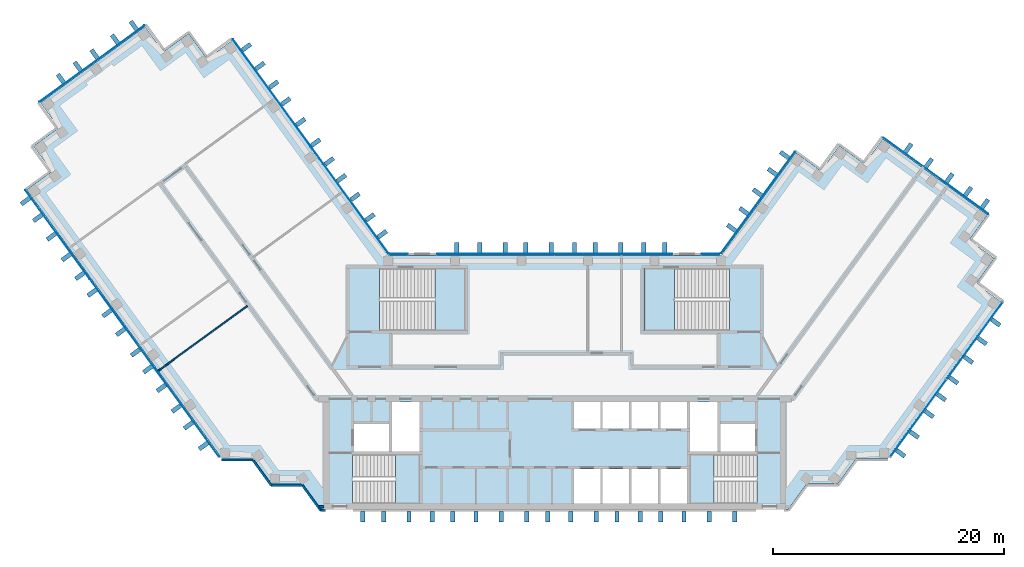
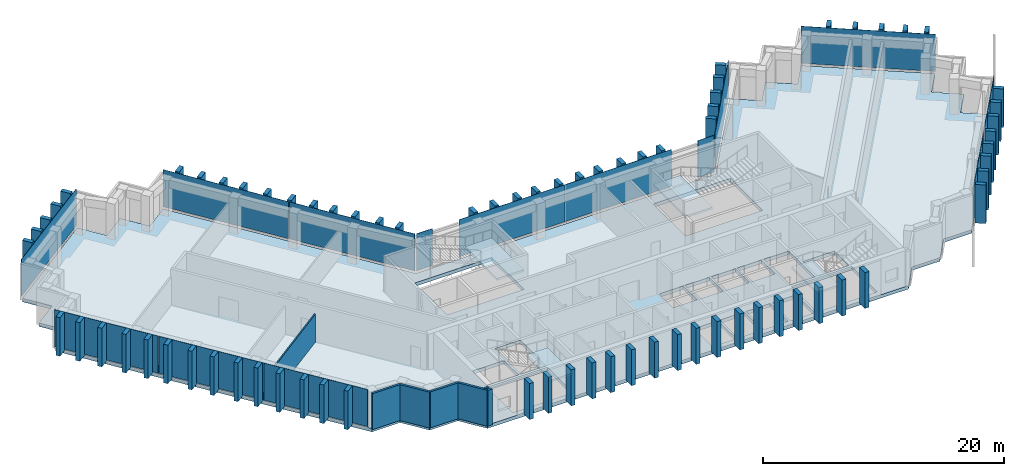
"""IFC4 building model written with IfcOpenShell, lengths in metres."""

from ifc_helpers import new_model, si_unit, direction, frame, frame_2d, origin, origin_2d, place, context, subcontext, project, spatial, polyline, rectangle, outline, extrude, material, layer, layer_set, type_object, element, aggregate, save


model = new_model("IFC4")

# Units and contexts
model_context = context("Model", 3, precision=1e-05, world=origin(), true_north=direction((0.0, 1.0)))
body_context = subcontext(model_context, "Body", "Model", "MODEL_VIEW")
ifc_project = project(units=[si_unit("LENGTHUNIT", "METRE"), si_unit("AREAUNIT", "SQUARE_METRE"), si_unit("VOLUMEUNIT", "CUBIC_METRE"), si_unit("PLANEANGLEUNIT", "RADIAN"), si_unit("MASSUNIT", "GRAM", prefix="KILO")], contexts=[model_context])

# Site, building, storey
site_placement = place(None, origin())
site = spatial("IfcSite", under=ifc_project, at=site_placement, CompositionType="ELEMENT")
building_placement = place(site_placement, origin())
building = spatial("IfcBuilding", under=site, at=building_placement, Name="Quipu Civic Tower", CompositionType="ELEMENT")
storey_1_placement = place(building_placement, frame((0.0, 0.0, 226.0)))
storey_1 = spatial("IfcBuildingStorey", under=building, at=storey_1_placement, Name="L53", CompositionType="ELEMENT", Elevation=226.0)

# Slab
ifc_material_1 = material(Name="Concrete C40/50", Category="concrete")
ifc_layer_1 = layer(ifc_material_1, 0.35009765625)
ifc_layer_set_1 = layer_set([ifc_layer_1], Name="Concrete C40/50")
slab_type_1 = type_object("IfcSlabType", Name="Floor slab 350 C40/50", PredefinedType="FLOOR", material=ifc_layer_set_1)
slab_1_placement = place(storey_1_placement, frame((0.0, 0.0, -0.35009765625)))
element("IfcSlab", 1, at=slab_1_placement, inside=storey_1, type_object=slab_type_1, Name="Floor slab L53", PredefinedType="FLOOR", context=body_context, shape_type="SweptSolid", body=[
    extrude(outline(polyline([(20.860107421875, 19.89501953125), (23.0400390625, 18.31005859375), (24.6298828125, 20.4951171875), (26.81494140625, 18.905029296875), (28.39990234375, 21.090087890625), (37.4599609375, 14.5048828125), (35.875, 12.320068359375), (38.06005859375, 10.735107421875), (36.469970703125, 8.550048828125), (38.655029296875, 6.965087890625), (28.780029296875, -6.6298828125), (26.080078125, -6.6298828125), (24.489990234375, -8.81494140625), (21.7900390625, -8.81494140625), (20.205078125, -11.0), (-20.205078125, -11.0), (-21.7900390625, -8.81494140625), (-24.489990234375, -8.81494140625), (-26.080078125, -6.6298828125), (-28.780029296875, -6.6298828125), (-45.7099609375, 16.669921875), (-43.52490234375, 18.260009765625), (-45.114990234375, 20.445068359375), (-42.929931640625, 22.030029296875), (-44.514892578125, 24.215087890625), (-35.455078125, 30.800048828125), (-33.864990234375, 28.614990234375), (-31.68505859375, 30.199951171875), (-30.094970703125, 28.014892578125), (-27.909912109375, 29.60498046875), (-14.39501953125, 11.0), (14.39501953125, 11.0), (20.860107421875, 19.89501953125)]), holes=[polyline([(1.64990234375, -7.5), (1.64990234375, -10.5), (3.949951171875, -10.5), (3.949951171875, -7.5), (1.64990234375, -7.5)]), polyline([(4.14990234375, -7.5), (4.14990234375, -10.5), (6.449951171875, -10.5), (6.449951171875, -7.5), (4.14990234375, -7.5)]), polyline([(-11.705078125, -6.2548828125), (-17.4951171875, -6.2548828125), (-17.4951171875, -10.4951171875), (-11.705078125, -10.4951171875), (-11.705078125, -6.2548828125)]), polyline([(-17.35009765625, -3.60009765625), (-17.35009765625, -6.0), (-14.35009765625, -6.0), (-14.35009765625, -3.60009765625), (-17.35009765625, -3.60009765625)]), polyline([(-14.10009765625, -1.699951171875), (-14.10009765625, -6.0), (-11.699951171875, -6.0), (-11.699951171875, -1.699951171875), (-14.10009765625, -1.699951171875)]), polyline([(1.64990234375, -1.699951171875), (1.64990234375, -4.0), (3.949951171875, -4.0), (3.949951171875, -1.699951171875), (1.64990234375, -1.699951171875)]), polyline([(4.14990234375, -1.699951171875), (4.14990234375, -4.0), (6.449951171875, -4.0), (6.449951171875, -1.699951171875), (4.14990234375, -1.699951171875)]), polyline([(-7.7548828125, 9.844970703125), (-15.14501953125, 9.844970703125), (-15.14501953125, 4.5048828125), (-7.7548828125, 4.5048828125), (-7.7548828125, 9.844970703125)]), polyline([(6.64990234375, -7.5), (6.64990234375, -10.5), (8.949951171875, -10.5), (8.949951171875, -7.5), (6.64990234375, -7.5)]), polyline([(9.14990234375, -7.5), (9.14990234375, -10.5), (11.449951171875, -10.5), (11.449951171875, -7.5), (9.14990234375, -7.5)]), polyline([(11.705078125, -10.4951171875), (17.4951171875, -10.4951171875), (17.4951171875, -6.2548828125), (11.705078125, -6.2548828125), (11.705078125, -10.4951171875)]), polyline([(14.35009765625, -3.60009765625), (14.35009765625, -6.0), (17.35009765625, -6.0), (17.35009765625, -3.60009765625), (14.35009765625, -3.60009765625)]), polyline([(11.699951171875, -1.699951171875), (11.699951171875, -6.0), (14.10009765625, -6.0), (14.10009765625, -1.699951171875), (11.699951171875, -1.699951171875)]), polyline([(6.64990234375, -1.699951171875), (6.64990234375, -4.0), (8.949951171875, -4.0), (8.949951171875, -1.699951171875), (6.64990234375, -1.699951171875)]), polyline([(9.14990234375, -1.699951171875), (9.14990234375, -4.0), (11.449951171875, -4.0), (11.449951171875, -1.699951171875), (9.14990234375, -1.699951171875)]), polyline([(7.7548828125, 4.5048828125), (15.14501953125, 4.5048828125), (15.14501953125, 9.844970703125), (7.7548828125, 9.844970703125), (7.7548828125, 4.5048828125)])]), origin(), (0.0, 0.0, 1.0), 0.35009765625),
])

# Storey
storey_2_placement = place(building_placement, frame((0.0, 0.0, 222.0)))
storey_2 = spatial("IfcBuildingStorey", under=building, at=storey_2_placement, Name="L52", CompositionType="ELEMENT", Elevation=222.0)

# Curtain wall, plates
ifc_material_2 = material(Name="Insulated glass unit", Category="glass")
curtain_wall_type = type_object("IfcCurtainWallType", Name="Office curtain wall CW1", PredefinedType="NOTDEFINED", material=ifc_material_2)
curtain_wall_1_placement = place(storey_2_placement, origin())
curtain_wall_1 = element("IfcCurtainWall", 2, at=curtain_wall_1_placement, inside=storey_2, type_object=curtain_wall_type, Name="Office curtain wall CW1 L51 run 1", PredefinedType="NOTDEFINED")
ifc_material_3 = material(Name="Insulated glass unit", Category="glass")
ifc_layer_2 = layer(ifc_material_3, 0.028076171875)
ifc_layer_set_2 = layer_set([ifc_layer_2], Name="Insulated glass unit")
plate_type_1 = type_object("IfcPlateType", Name="Glass panel CW1", PredefinedType="CURTAIN_PANEL", material=ifc_layer_set_2)
plate_1_placement = place(storey_1_placement, frame((-17.7421875, 15.777099609375, 0.16015625), z_axis=(0.0, 0.0, 1.0), x_axis=(-0.587788727052, 0.809014469803, 0.0)))
plate_1 = element("IfcPlate", 3, at=plate_1_placement, inside=storey_1, type_object=plate_type_1, Name="CW1 panel 1.3", PredefinedType="CURTAIN_PANEL", context=body_context, shape_type="SweptSolid", body=[
    extrude(rectangle(XDim=11.402099609375, YDim=0.028076171875, at=origin_2d()), origin(), (0.0, 0.0, 1.0), 3.760009765625),
])
plate_2_placement = place(storey_1_placement, frame((-24.491455078125, 25.066162109375, 0.16015625), z_axis=(0.0, 0.0, 1.0), x_axis=(-0.587788727052, 0.809014469803, 0.0)))
plate_2 = element("IfcPlate", 4, at=plate_2_placement, inside=storey_1, type_object=plate_type_1, Name="CW1 panel 2.3", PredefinedType="CURTAIN_PANEL", context=body_context, shape_type="SweptSolid", body=[
    extrude(rectangle(XDim=11.402099609375, YDim=0.028076171875, at=origin_2d()), origin(), (0.0, 0.0, 1.0), 3.760009765625),
])
aggregate(curtain_wall_1, [plate_1, plate_2])

# Curtain wall, plate
curtain_wall_2_placement = place(storey_2_placement, origin())
curtain_wall_2 = element("IfcCurtainWall", 5, at=curtain_wall_2_placement, inside=storey_2, type_object=curtain_wall_type, Name="Office curtain wall CW1 L51 run 6", PredefinedType="NOTDEFINED")
plate_3_placement = place(storey_1_placement, frame((-40.04345703125, 27.58740234375, 0.16015625), z_axis=(0.0, 0.0, 1.0), x_axis=(-0.809015176832, -0.587787753918, 0.0)))
plate_3 = element("IfcPlate", 6, at=plate_3_placement, inside=storey_1, type_object=plate_type_1, Name="CW1 panel 1.3", PredefinedType="CURTAIN_PANEL", context=body_context, shape_type="SweptSolid", body=[
    extrude(rectangle(XDim=11.239990234375, YDim=0.028076171875, at=origin_2d()), origin(), (0.0, 0.0, 1.0), 3.760009765625),
])
aggregate(curtain_wall_2, [plate_3])

# Curtain wall, plates
curtain_wall_3_placement = place(storey_2_placement, origin())
curtain_wall_3 = element("IfcCurtainWall", 7, at=curtain_wall_3_placement, inside=storey_2, type_object=curtain_wall_type, Name="Office curtain wall CW1 L51 run 11", PredefinedType="NOTDEFINED")
plate_4_placement = place(storey_1_placement, frame((-43.030517578125, 12.814208984375, 0.16015625), z_axis=(0.0, 0.0, 1.0), x_axis=(0.5877856923, -0.80901667469, 0.0)))
plate_4 = element("IfcPlate", 8, at=plate_4_placement, inside=storey_1, type_object=plate_type_1, Name="CW1 panel 1.3", PredefinedType="CURTAIN_PANEL", context=body_context, shape_type="SweptSolid", body=[
    extrude(rectangle(XDim=9.43212890625, YDim=0.028076171875, at=origin_2d()), origin(), (0.0, 0.0, 1.0), 3.760009765625),
])
plate_5_placement = place(storey_1_placement, frame((-37.427734375, 5.102783203125, 0.16015625), z_axis=(0.0, 0.0, 1.0), x_axis=(0.5877856923, -0.80901667469, 0.0)))
plate_5 = element("IfcPlate", 9, at=plate_5_placement, inside=storey_1, type_object=plate_type_1, Name="CW1 panel 2.3", PredefinedType="CURTAIN_PANEL", context=body_context, shape_type="SweptSolid", body=[
    extrude(rectangle(XDim=9.471923828125, YDim=0.028076171875, at=origin_2d()), origin(), (0.0, 0.0, 1.0), 3.760009765625),
])
plate_6_placement = place(storey_1_placement, frame((-31.824951171875, -2.60888671875, 0.16015625), z_axis=(0.0, 0.0, 1.0), x_axis=(0.5877856923, -0.80901667469, 0.0)))
plate_6 = element("IfcPlate", 10, at=plate_6_placement, inside=storey_1, type_object=plate_type_1, Name="CW1 panel 3.3", PredefinedType="CURTAIN_PANEL", context=body_context, shape_type="SweptSolid", body=[
    extrude(rectangle(XDim=9.43212890625, YDim=0.028076171875, at=origin_2d()), origin(), (0.0, 0.0, 1.0), 3.760009765625),
])
aggregate(curtain_wall_3, [plate_4, plate_5, plate_6])

# Curtain wall, plate
curtain_wall_4_placement = place(storey_2_placement, origin())
curtain_wall_4 = element("IfcCurtainWall", 11, at=curtain_wall_4_placement, inside=storey_2, type_object=curtain_wall_type, Name="Office curtain wall CW1 L51 run 21", PredefinedType="NOTDEFINED")
plate_7_placement = place(storey_1_placement, frame((32.989990234375, 17.87939453125, 0.16015625), z_axis=(0.0, 0.0, 1.0), x_axis=(-0.809015176832, 0.587787753918, 0.0)))
plate_7 = element("IfcPlate", 12, at=plate_7_placement, inside=storey_1, type_object=plate_type_1, Name="CW1 panel 1.3", PredefinedType="CURTAIN_PANEL", context=body_context, shape_type="SweptSolid", body=[
    extrude(rectangle(XDim=11.239990234375, YDim=0.028076171875, at=origin_2d()), origin(), (0.0, 0.0, 1.0), 3.760009765625),
])
aggregate(curtain_wall_4, [plate_7])

curtain_wall_5_placement = place(storey_2_placement, origin())
curtain_wall_5 = element("IfcCurtainWall", 13, at=curtain_wall_5_placement, inside=storey_2, type_object=curtain_wall_type, Name="Office curtain wall CW1 L51 run 26", PredefinedType="NOTDEFINED")
plate_8_placement = place(storey_1_placement, frame((17.590087890625, 15.5673828125, 0.16015625), z_axis=(0.0, 0.0, 1.0), x_axis=(-0.587787771652, -0.809015163947, 0.0)))
plate_8 = element("IfcPlate", 14, at=plate_8_placement, inside=storey_1, type_object=plate_type_1, Name="CW1 panel 1.3", PredefinedType="CURTAIN_PANEL", context=body_context, shape_type="SweptSolid", body=[
    extrude(rectangle(XDim=10.88427734375, YDim=0.028076171875, at=origin_2d()), origin(), (0.0, 0.0, 1.0), 3.760009765625),
])
aggregate(curtain_wall_5, [plate_8])

curtain_wall_6_placement = place(storey_2_placement, origin())
curtain_wall_6 = element("IfcCurtainWall", 15, at=curtain_wall_6_placement, inside=storey_2, type_object=curtain_wall_type, Name="Office curtain wall CW1 L51 run 27", PredefinedType="NOTDEFINED")
plate_9_placement = place(storey_1_placement, frame((13.49951171875, 11.10009765625, 0.16015625), z_axis=(0.0, 0.0, 1.0), x_axis=(-1.0, 0.0, 0.0)))
plate_9 = element("IfcPlate", 16, at=plate_9_placement, inside=storey_1, type_object=plate_type_1, Name="CW1 panel 1.3", PredefinedType="CURTAIN_PANEL", context=body_context, shape_type="SweptSolid", body=[
    extrude(rectangle(XDim=1.529296875, YDim=0.028076171875, at=origin_2d()), origin(), (0.0, 0.0, 1.0), 3.760009765625),
])
aggregate(curtain_wall_6, [plate_9])

# Curtain wall, plates
curtain_wall_7_placement = place(storey_2_placement, origin())
curtain_wall_7 = element("IfcCurtainWall", 17, at=curtain_wall_7_placement, inside=storey_2, type_object=curtain_wall_type, Name="Office curtain wall CW1 L51 run 29", PredefinedType="NOTDEFINED")
plate_10_placement = place(storey_1_placement, frame((5.11181640625, 11.10009765625, 0.16015625), z_axis=(0.0, 0.0, 1.0), x_axis=(-1.0, 0.0, 0.0)))
plate_10 = element("IfcPlate", 18, at=plate_10_placement, inside=storey_1, type_object=plate_type_1, Name="CW1 panel 1.3", PredefinedType="CURTAIN_PANEL", context=body_context, shape_type="SweptSolid", body=[
    extrude(rectangle(XDim=10.1435546875, YDim=0.028076171875, at=origin_2d()), origin(), (0.0, 0.0, 1.0), 3.760009765625),
])
plate_11_placement = place(storey_1_placement, frame((-5.11181640625, 11.10009765625, 0.16015625), z_axis=(0.0, 0.0, 1.0), x_axis=(-1.0, 0.0, 0.0)))
plate_11 = element("IfcPlate", 19, at=plate_11_placement, inside=storey_1, type_object=plate_type_1, Name="CW1 panel 2.3", PredefinedType="CURTAIN_PANEL", context=body_context, shape_type="SweptSolid", body=[
    extrude(rectangle(XDim=10.1435546875, YDim=0.028076171875, at=origin_2d()), origin(), (0.0, 0.0, 1.0), 3.760009765625),
])
aggregate(curtain_wall_7, [plate_10, plate_11])

# Curtain wall, plate
curtain_wall_8_placement = place(storey_2_placement, origin())
curtain_wall_8 = element("IfcCurtainWall", 20, at=curtain_wall_8_placement, inside=storey_2, type_object=curtain_wall_type, Name="Office curtain wall CW1 L51 run 31", PredefinedType="NOTDEFINED")
plate_12_placement = place(storey_1_placement, frame((-13.49951171875, 11.10009765625, 0.16015625), z_axis=(0.0, 0.0, 1.0), x_axis=(-1.0, 0.0, 0.0)))
plate_12 = element("IfcPlate", 21, at=plate_12_placement, inside=storey_1, type_object=plate_type_1, Name="CW1 panel 1.3", PredefinedType="CURTAIN_PANEL", context=body_context, shape_type="SweptSolid", body=[
    extrude(rectangle(XDim=1.529296875, YDim=0.028076171875, at=origin_2d()), origin(), (0.0, 0.0, 1.0), 3.760009765625),
])
aggregate(curtain_wall_8, [plate_12])

# Curtain wall, plates
curtain_wall_9_placement = place(storey_1_placement, origin())
curtain_wall_9 = element("IfcCurtainWall", 22, at=curtain_wall_9_placement, inside=storey_1, type_object=curtain_wall_type, Name="Office curtain wall CW1 L52 run 4", PredefinedType="NOTDEFINED")
plate_13_placement = place(storey_1_placement, frame((31.465087890625, -3.10400390625, 0.16015625), z_axis=(0.0, 0.0, 1.0), x_axis=(0.58778680192, 0.809015868502, 0.0)))
plate_13 = element("IfcPlate", 23, at=plate_13_placement, type_object=plate_type_1, Name="CW1 panel 1.2", PredefinedType="CURTAIN_PANEL", context=body_context, shape_type="SweptSolid", body=[
    extrude(rectangle(XDim=8.2080078125, YDim=0.028076171875, at=origin_2d()), origin(), (0.0, 0.0, 1.0), 3.840087890625),
])
plate_14_placement = place(storey_1_placement, frame((36.3369140625, 3.60107421875, 0.16015625), z_axis=(0.0, 0.0, 1.0), x_axis=(0.58778680192, 0.809015868502, 0.0)))
plate_14 = element("IfcPlate", 24, at=plate_14_placement, type_object=plate_type_1, Name="CW1 panel 2.2", PredefinedType="CURTAIN_PANEL", context=body_context, shape_type="SweptSolid", body=[
    extrude(rectangle(XDim=8.2080078125, YDim=0.028076171875, at=origin_2d()), origin(), (0.0, 0.0, 1.0), 3.840087890625),
])
aggregate(curtain_wall_9, [plate_13, plate_14])

# Plates
ifc_material_4 = material(Name="Precast concrete C40/50", Category="concrete")
plate_type_2 = type_object("IfcPlateType", Name="Precast fin F2", PredefinedType="SHEET", material=ifc_material_4)
for number, where, z_axis, x_axis, name in (
    (25, (-14.92138671875, 12.830078125, 0.080078125), (0.0, 0.0, 1.0), (-0.587787133119, 0.809015627871, 0.0), "Precast fin F2 L53.P01.1"),
    (26, (-15.9794921875, 14.286376953125, 0.080078125), (0.0, 0.0, 1.0), (-0.587787133119, 0.809015627871, 0.0), "Precast fin F2 L53.P01.2"),
    (27, (-17.272705078125, 16.066162109375, 0.080078125), (0.0, 0.0, 1.0), (-0.587787133119, 0.809015627871, 0.0), "Precast fin F2 L53.P01.3"),
    (28, (-18.4482421875, 17.684326171875, 0.080078125), (0.0, 0.0, 1.0), (-0.587787133119, 0.809015627871, 0.0), "Precast fin F2 L53.P01.4"),
    (29, (-19.506103515625, 19.140625, 0.080078125), (0.0, 0.0, 1.0), (-0.587787133119, 0.809015627871, 0.0), "Precast fin F2 L53.P01.5"),
    (30, (-20.681884765625, 20.758544921875, 0.080078125), (0.0, 0.0, 1.0), (-0.587787133119, 0.809015627871, 0.0), "Precast fin F2 L53.P01.6"),
    (31, (-21.974853515625, 22.538330078125, 0.080078125), (0.0, 0.0, 1.0), (-0.587787133119, 0.809015627871, 0.0), "Precast fin F2 L53.P01.7"),
    (32, (-23.26806640625, 24.318115234375, 0.080078125), (0.0, 0.0, 1.0), (-0.587787133119, 0.809015627871, 0.0), "Precast fin F2 L53.P01.8"),
    (33, (-24.326171875, 25.7744140625, 0.080078125), (0.0, 0.0, 1.0), (-0.587787133119, 0.809015627871, 0.0), "Precast fin F2 L53.P01.9"),
    (34, (-25.501708984375, 27.392578125, 0.080078125), (0.0, 0.0, 1.0), (-0.587787133119, 0.809015627871, 0.0), "Precast fin F2 L53.P01.10"),
    (35, (-26.67724609375, 29.010498046875, 0.080078125), (0.0, 0.0, 1.0), (-0.587787133119, 0.809015627871, 0.0), "Precast fin F2 L53.P01.11"),
    (36, (-36.434814453125, 30.88916015625, 0.080078125), (0.0, 0.0, 1.0), (-0.809017072762, -0.587785144401, 0.0), "Precast fin F2 L53.P06.1"),
    (37, (-38.052978515625, 29.713623046875, 0.080078125), (0.0, 0.0, 1.0), (-0.809017072762, -0.587785144401, 0.0), "Precast fin F2 L53.P06.2"),
    (38, (-39.832763671875, 28.42041015625, 0.080078125), (0.0, 0.0, 1.0), (-0.809017072762, -0.587785144401, 0.0), "Precast fin F2 L53.P06.3"),
    (39, (-41.2890625, 27.3623046875, 0.080078125), (0.0, 0.0, 1.0), (-0.809017072762, -0.587785144401, 0.0), "Precast fin F2 L53.P06.4"),
    (40, (-42.745361328125, 26.304443359375, 0.080078125), (0.0, 0.0, 1.0), (-0.809017072762, -0.587785144401, 0.0), "Precast fin F2 L53.P06.5"),
    (41, (-45.80078125, 15.69140625, 0.080078125), (0.0, 0.0, 1.0), (0.587785620359, -0.809016726959, 0.0), "Precast fin F2 L53.P11.1"),
    (42, (-44.74267578125, 14.2353515625, 0.080078125), (0.0, 0.0, 1.0), (0.587785620359, -0.809016726959, 0.0), "Precast fin F2 L53.P11.2"),
    (43, (-43.567138671875, 12.6171875, 0.080078125), (0.0, 0.0, 1.0), (0.587785620359, -0.809016726959, 0.0), "Precast fin F2 L53.P11.3"),
    (44, (-42.27392578125, 10.83740234375, 0.080078125), (0.0, 0.0, 1.0), (0.587785620359, -0.809016726959, 0.0), "Precast fin F2 L53.P11.4"),
    (45, (-41.098388671875, 9.21923828125, 0.080078125), (0.0, 0.0, 1.0), (0.587785620359, -0.809016726959, 0.0), "Precast fin F2 L53.P11.5"),
    (46, (-40.040283203125, 7.76318359375, 0.080078125), (0.0, 0.0, 1.0), (0.587785620359, -0.809016726959, 0.0), "Precast fin F2 L53.P11.6"),
    (47, (-38.747314453125, 5.983154296875, 0.080078125), (0.0, 0.0, 1.0), (0.587785620359, -0.809016726959, 0.0), "Precast fin F2 L53.P11.7"),
    (48, (-37.57177734375, 4.365234375, 0.080078125), (0.0, 0.0, 1.0), (0.587785620359, -0.809016726959, 0.0), "Precast fin F2 L53.P11.8"),
    (49, (-36.278564453125, 2.58544921875, 0.080078125), (0.0, 0.0, 1.0), (0.587785620359, -0.809016726959, 0.0), "Precast fin F2 L53.P11.9"),
    (50, (-35.220458984375, 1.129150390625, 0.080078125), (0.0, 0.0, 1.0), (0.587785620359, -0.809016726959, 0.0), "Precast fin F2 L53.P11.10"),
    (51, (-34.044921875, -0.48876953125, 0.080078125), (0.0, 0.0, 1.0), (0.587785620359, -0.809016726959, 0.0), "Precast fin F2 L53.P11.11"),
    (52, (-32.751953125, -2.268798828125, 0.080078125), (0.0, 0.0, 1.0), (0.587785620359, -0.809016726959, 0.0), "Precast fin F2 L53.P11.12"),
    (53, (-31.69384765625, -3.724853515625, 0.080078125), (0.0, 0.0, 1.0), (0.587785620359, -0.809016726959, 0.0), "Precast fin F2 L53.P11.13"),
    (54, (-30.400634765625, -5.5048828125, 0.080078125), (0.0, 0.0, 1.0), (0.587785620359, -0.809016726959, 0.0), "Precast fin F2 L53.P11.14"),
):
    element("IfcPlate", number, at=place(storey_1_placement, frame(where, z_axis=z_axis, x_axis=x_axis)), inside=storey_1, type_object=plate_type_2, Name=name, PredefinedType="SHEET", context=body_context, shape_type="SweptSolid", body=[
        extrude(rectangle(XDim=0.3798828125, YDim=0.89990234375, at=origin_2d()), origin(), (0.0, 0.0, 1.0), 3.919921875),
    ])
for number, where, z_axis, x_axis, name in (
    (55, (-16.610107421875, -11.637939453125, 0.0), (0.0, 0.0, 1.0), (1.0, 0.0, 0.0), "Precast fin F2 L53.P18.1"),
    (56, (-14.81005859375, -11.637939453125, 0.0), (0.0, 0.0, 1.0), (1.0, 0.0, 0.0), "Precast fin F2 L53.P18.2"),
    (57, (-12.610107421875, -11.637939453125, 0.0), (0.0, 0.0, 1.0), (1.0, 0.0, 0.0), "Precast fin F2 L53.P18.3"),
    (58, (-10.610107421875, -11.637939453125, 0.0), (0.0, 0.0, 1.0), (1.0, 0.0, 0.0), "Precast fin F2 L53.P18.4"),
    (59, (-8.81005859375, -11.637939453125, 0.0), (0.0, 0.0, 1.0), (1.0, 0.0, 0.0), "Precast fin F2 L53.P18.5"),
    (60, (-6.81005859375, -11.637939453125, 0.0), (0.0, 0.0, 1.0), (1.0, 0.0, 0.0), "Precast fin F2 L53.P18.6"),
    (61, (-4.610107421875, -11.637939453125, 0.0), (0.0, 0.0, 1.0), (1.0, 0.0, 0.0), "Precast fin F2 L53.P18.7"),
    (62, (-2.409912109375, -11.637939453125, 0.0), (0.0, 0.0, 1.0), (1.0, 0.0, 0.0), "Precast fin F2 L53.P18.8"),
    (63, (-0.610107421875, -11.637939453125, 0.0), (0.0, 0.0, 1.0), (1.0, 0.0, 0.0), "Precast fin F2 L53.P18.9"),
    (64, (1.389892578125, -11.637939453125, 0.0), (0.0, 0.0, 1.0), (1.0, 0.0, 0.0), "Precast fin F2 L53.P18.10"),
    (65, (3.590087890625, -11.637939453125, 0.0), (0.0, 0.0, 1.0), (1.0, 0.0, 0.0), "Precast fin F2 L53.P18.11"),
    (66, (5.389892578125, -11.637939453125, 0.0), (0.0, 0.0, 1.0), (1.0, 0.0, 0.0), "Precast fin F2 L53.P18.12"),
    (67, (7.389892578125, -11.637939453125, 0.0), (0.0, 0.0, 1.0), (1.0, 0.0, 0.0), "Precast fin F2 L53.P18.13"),
    (68, (9.18994140625, -11.637939453125, 0.0), (0.0, 0.0, 1.0), (1.0, 0.0, 0.0), "Precast fin F2 L53.P18.14"),
    (69, (11.18994140625, -11.637939453125, 0.0), (0.0, 0.0, 1.0), (1.0, 0.0, 0.0), "Precast fin F2 L53.P18.15"),
    (70, (13.389892578125, -11.637939453125, 0.0), (0.0, 0.0, 1.0), (1.0, 0.0, 0.0), "Precast fin F2 L53.P18.16"),
    (71, (15.590087890625, -11.637939453125, 0.0), (0.0, 0.0, 1.0), (1.0, 0.0, 0.0), "Precast fin F2 L53.P18.17"),
):
    element("IfcPlate", number, at=place(storey_1_placement, frame(where, z_axis=z_axis, x_axis=x_axis)), inside=storey_1, type_object=plate_type_2, Name=name, PredefinedType="SHEET", context=body_context, shape_type="SweptSolid", body=[
        extrude(rectangle(XDim=0.3798828125, YDim=0.89990234375, at=origin_2d()), origin(), (0.0, 0.0, 1.0), 3.64990234375),
    ])
for number, where, z_axis, x_axis, name in (
    (72, (37.2451171875, 15.467529296875, 0.080078125), (0.0, 0.0, 1.0), (-0.809017072762, 0.587785144401, 0.0), "Precast fin F2 L53.P22.1"),
    (73, (35.7890625, 16.525634765625, 0.080078125), (0.0, 0.0, 1.0), (-0.809017072762, 0.587785144401, 0.0), "Precast fin F2 L53.P22.2"),
    (74, (34.1708984375, 17.701171875, 0.080078125), (0.0, 0.0, 1.0), (-0.809017072762, 0.587785144401, 0.0), "Precast fin F2 L53.P22.3"),
    (75, (32.39111328125, 18.994384765625, 0.080078125), (0.0, 0.0, 1.0), (-0.809017072762, 0.587785144401, 0.0), "Precast fin F2 L53.P22.4"),
    (76, (30.611328125, 20.287353515625, 0.080078125), (0.0, 0.0, 1.0), (-0.809017072762, 0.587785144401, 0.0), "Precast fin F2 L53.P22.5"),
    (77, (19.897216796875, 19.6787109375, 0.080078125), (0.0, 0.0, 1.0), (-0.58778443384, -0.809017589015, 0.0), "Precast fin F2 L53.P27.1"),
    (78, (18.839111328125, 18.222412109375, 0.080078125), (0.0, 0.0, 1.0), (-0.58778443384, -0.809017589015, 0.0), "Precast fin F2 L53.P27.2"),
    (79, (17.546142578125, 16.442626953125, 0.080078125), (0.0, 0.0, 1.0), (-0.58778443384, -0.809017589015, 0.0), "Precast fin F2 L53.P27.3"),
    (80, (16.370361328125, 14.824462890625, 0.080078125), (0.0, 0.0, 1.0), (-0.58778443384, -0.809017589015, 0.0), "Precast fin F2 L53.P27.4"),
    (81, (15.3125, 13.368408203125, 0.080078125), (0.0, 0.0, 1.0), (-0.58778443384, -0.809017589015, 0.0), "Precast fin F2 L53.P27.5"),
    (82, (9.510009765625, 11.64990234375, 0.080078125), (0.0, 0.0, 1.0), (-1.0, 0.0, 0.0), "Precast fin F2 L53.P30.1"),
    (83, (7.7099609375, 11.64990234375, 0.080078125), (0.0, 0.0, 1.0), (-1.0, 0.0, 0.0), "Precast fin F2 L53.P30.2"),
    (84, (5.7099609375, 11.64990234375, 0.080078125), (0.0, 0.0, 1.0), (-1.0, 0.0, 0.0), "Precast fin F2 L53.P30.3"),
    (85, (3.510009765625, 11.64990234375, 0.080078125), (0.0, 0.0, 1.0), (-1.0, 0.0, 0.0), "Precast fin F2 L53.P30.4"),
    (86, (1.7099609375, 11.64990234375, 0.080078125), (0.0, 0.0, 1.0), (-1.0, 0.0, 0.0), "Precast fin F2 L53.P30.5"),
    (87, (-0.2900390625, 11.64990234375, 0.080078125), (0.0, 0.0, 1.0), (-1.0, 0.0, 0.0), "Precast fin F2 L53.P30.6"),
    (88, (-2.489990234375, 11.64990234375, 0.080078125), (0.0, 0.0, 1.0), (-1.0, 0.0, 0.0), "Precast fin F2 L53.P30.7"),
    (89, (-4.2900390625, 11.64990234375, 0.080078125), (0.0, 0.0, 1.0), (-1.0, 0.0, 0.0), "Precast fin F2 L53.P30.8"),
    (90, (-6.489990234375, 11.64990234375, 0.080078125), (0.0, 0.0, 1.0), (-1.0, 0.0, 0.0), "Precast fin F2 L53.P30.9"),
    (91, (-8.489990234375, 11.64990234375, 0.080078125), (0.0, 0.0, 1.0), (-1.0, 0.0, 0.0), "Precast fin F2 L53.P30.10"),
    (92, (29.943603515625, -6.134033203125, 0.080078125), (0.0, 0.0, 1.0), (0.587786668783, 0.809015965233, 0.0), "Precast fin F2 L53.P36.1"),
    (93, (31.119140625, -4.515869140625, 0.080078125), (0.0, 0.0, 1.0), (0.587786668783, 0.809015965233, 0.0), "Precast fin F2 L53.P36.2"),
    (94, (32.412353515625, -2.736083984375, 0.080078125), (0.0, 0.0, 1.0), (0.587786668783, 0.809015965233, 0.0), "Precast fin F2 L53.P36.3"),
    (95, (33.47021484375, -1.280029296875, 0.080078125), (0.0, 0.0, 1.0), (0.587786668783, 0.809015965233, 0.0), "Precast fin F2 L53.P36.4"),
    (96, (34.5283203125, 0.17626953125, 0.080078125), (0.0, 0.0, 1.0), (0.587786668783, 0.809015965233, 0.0), "Precast fin F2 L53.P36.5"),
    (97, (35.821533203125, 1.9560546875, 0.080078125), (0.0, 0.0, 1.0), (0.587786668783, 0.809015965233, 0.0), "Precast fin F2 L53.P36.6"),
    (98, (36.9970703125, 3.57421875, 0.080078125), (0.0, 0.0, 1.0), (0.587786668783, 0.809015965233, 0.0), "Precast fin F2 L53.P36.7"),
    (99, (38.172607421875, 5.192138671875, 0.080078125), (0.0, 0.0, 1.0), (0.587786668783, 0.809015965233, 0.0), "Precast fin F2 L53.P36.8"),
):
    element("IfcPlate", number, at=place(storey_1_placement, frame(where, z_axis=z_axis, x_axis=x_axis)), inside=storey_1, type_object=plate_type_2, Name=name, PredefinedType="SHEET", context=body_context, shape_type="SweptSolid", body=[
        extrude(rectangle(XDim=0.3798828125, YDim=0.89990234375, at=origin_2d()), origin(), (0.0, 0.0, 1.0), 3.919921875),
    ])

# Stair, slab
ifc_material_5 = material(Name="Concrete C40/50", Category="concrete")
stair_type_1 = type_object("IfcStairType", Name="Half turn stair 2000", PredefinedType="HALF_TURN_STAIR", material=ifc_material_5)
stair_1_placement = place(storey_1_placement, origin())
stair_1 = element("IfcStair", 100, at=stair_1_placement, inside=storey_1, type_object=stair_type_1, Name="Exit stair 1", PredefinedType="HALF_TURN_STAIR")
ifc_material_6 = material(Name="Concrete C40/50", Category="concrete")
ifc_layer_3 = layer(ifc_material_6, 0.199951171875)
ifc_layer_set_3 = layer_set([ifc_layer_3], Name="Concrete C40/50")
slab_type_2 = type_object("IfcSlabType", Name="Stair landing 200", PredefinedType="LANDING", material=ifc_layer_set_3)
slab_2_placement = place(storey_1_placement, frame((0.0, 0.0, 1.800048828125)))
slab_2 = element("IfcSlab", 101, at=slab_2_placement, type_object=slab_type_2, Name="ST-1 landing 1", PredefinedType="LANDING", context=body_context, shape_type="SweptSolid", body=[
    extrude(outline(polyline([(-13.780029296875, -10.5), (-11.699951171875, -10.5), (-11.699951171875, -6.25), (-13.780029296875, -6.25), (-13.780029296875, -10.5)])), origin(), (0.0, 0.0, 1.0), 0.199951171875),
])
aggregate(stair_1, [slab_2])

stair_2_placement = place(storey_1_placement, origin())
stair_2 = element("IfcStair", 102, at=stair_2_placement, inside=storey_1, type_object=stair_type_1, Name="Exit stair 2", PredefinedType="HALF_TURN_STAIR")
slab_3_placement = place(storey_1_placement, frame((0.0, 0.0, 1.800048828125)))
slab_3 = element("IfcSlab", 103, at=slab_3_placement, type_object=slab_type_2, Name="ST-2 landing 1", PredefinedType="LANDING", context=body_context, shape_type="SweptSolid", body=[
    extrude(outline(polyline([(13.780029296875, -6.25), (11.699951171875, -6.25), (11.699951171875, -10.5), (13.780029296875, -10.5), (13.780029296875, -6.25)])), origin(), (0.0, 0.0, 1.0), 0.199951171875),
])
aggregate(stair_2, [slab_3])

ifc_material_7 = material(Name="Concrete C40/50", Category="concrete")
stair_type_2 = type_object("IfcStairType", Name="Half turn stair 2600", PredefinedType="HALF_TURN_STAIR", material=ifc_material_7)
stair_3_placement = place(storey_1_placement, origin())
stair_3 = element("IfcStair", 104, at=stair_3_placement, inside=storey_1, type_object=stair_type_2, Name="Exit stair 3", PredefinedType="HALF_TURN_STAIR")
slab_4_placement = place(storey_1_placement, frame((0.0, 0.0, 1.800048828125)))
slab_4 = element("IfcSlab", 105, at=slab_4_placement, type_object=slab_type_2, Name="ST-3 landing 1", PredefinedType="LANDING", context=body_context, shape_type="SweptSolid", body=[
    extrude(outline(polyline([(-10.35009765625, 4.5), (-7.75, 4.5), (-7.75, 9.85009765625), (-10.35009765625, 9.85009765625), (-10.35009765625, 4.5)])), origin(), (0.0, 0.0, 1.0), 0.199951171875),
])
aggregate(stair_3, [slab_4])

stair_4_placement = place(storey_1_placement, origin())
stair_4 = element("IfcStair", 106, at=stair_4_placement, inside=storey_1, type_object=stair_type_2, Name="Exit stair 4", PredefinedType="HALF_TURN_STAIR")
slab_5_placement = place(storey_1_placement, frame((0.0, 0.0, 1.800048828125)))
slab_5 = element("IfcSlab", 107, at=slab_5_placement, type_object=slab_type_2, Name="ST-4 landing 1", PredefinedType="LANDING", context=body_context, shape_type="SweptSolid", body=[
    extrude(outline(polyline([(10.35009765625, 9.85009765625), (7.75, 9.85009765625), (7.75, 4.5), (10.35009765625, 4.5), (10.35009765625, 9.85009765625)])), origin(), (0.0, 0.0, 1.0), 0.199951171875),
])
aggregate(stair_4, [slab_5])

# Walls
ifc_material_8 = material(Name="Gypsum plasterboard on light gauge framing")
ifc_layer_4 = layer(ifc_material_8, 0.1201171875)
ifc_layer_set_4 = layer_set([ifc_layer_4], Name="Gypsum plasterboard on light gauge framing")
wall_type_1 = type_object("IfcWallType", Name="Partition 120 plasterboard", PredefinedType="PARTITIONING", material=ifc_layer_set_4)
wall_1_placement = place(storey_1_placement, frame((-26.59521484375, 6.61083984375, 0.0), z_axis=(0.0, 0.0, 1.0), x_axis=(-0.80900684162, -0.587799226107, 0.0)))
element("IfcWall", 108, at=wall_1_placement, inside=storey_1, type_object=wall_type_1, Name="Partition P03", PredefinedType="PARTITIONING", context=body_context, shape_type="SweptSolid", body=[
    extrude(rectangle(XDim=9.550048828125, YDim=0.1201171875, at=frame_2d((4.77490234375, 0.0))), origin(), (0.0, 0.0, 1.0), 2.85009765625),
])
ifc_material_9 = material(Name="Precast concrete C40/50", Category="concrete")
wall_type_2 = type_object("IfcWallType", Name="Precast cladding wall", PredefinedType="SOLIDWALL", material=ifc_material_9)
wall_2_placement = place(storey_1_placement, frame((-28.829833984375, -6.71923828125, 0.0), z_axis=(0.0, 0.0, 1.0), x_axis=(1.0, 0.0, 0.0)))
element("IfcWall", 109, at=wall_2_placement, inside=storey_1, type_object=wall_type_2, Name="Precast cladding wall L53 P12", PredefinedType="SOLIDWALL", context=body_context, shape_type="SweptSolid", body=[
    extrude(rectangle(XDim=2.699951171875, YDim=0.199951171875, at=frame_2d((1.35009765625, 0.0))), origin(), (0.0, 0.0, 1.0), 3.64990234375),
])
wall_3_placement = place(storey_1_placement, frame((-26.1201171875, -6.72412109375, 0.0), z_axis=(0.0, 0.0, 1.0), x_axis=(0.587720002413, -0.809064397168, 0.0)))
element("IfcWall", 110, at=wall_3_placement, inside=storey_1, type_object=wall_type_2, Name="Precast cladding wall L53 P13", PredefinedType="SOLIDWALL", context=body_context, shape_type="SweptSolid", body=[
    extrude(rectangle(XDim=2.7001953125, YDim=0.199951171875, at=frame_2d((1.35009765625, 0.0))), origin(), (0.0, 0.0, 1.0), 3.64990234375),
])
wall_4_placement = place(storey_1_placement, frame((-24.542724609375, -8.90380859375, 0.0), z_axis=(0.0, 0.0, 1.0), x_axis=(1.0, 0.0, 0.0)))
element("IfcWall", 111, at=wall_4_placement, inside=storey_1, type_object=wall_type_2, Name="Precast cladding wall L53 P14", PredefinedType="SOLIDWALL", context=body_context, shape_type="SweptSolid", body=[
    extrude(rectangle(XDim=2.699951171875, YDim=0.199951171875, at=frame_2d((1.35009765625, 0.0))), origin(), (0.0, 0.0, 1.0), 3.64990234375),
])
wall_5_placement = place(storey_1_placement, frame((-21.8330078125, -8.90869140625, 0.0), z_axis=(0.0, 0.0, 1.0), x_axis=(0.587766567315, -0.809030569476, 0.0)))
element("IfcWall", 112, at=wall_5_placement, inside=storey_1, type_object=wall_type_2, Name="Precast cladding wall L53 P15", PredefinedType="SOLIDWALL", context=body_context, shape_type="SweptSolid", body=[
    extrude(rectangle(XDim=2.687744140625, YDim=0.199951171875, at=frame_2d((1.34375, 0.0))), origin(), (0.0, 0.0, 1.0), 3.64990234375),
])
wall_6_placement = place(storey_1_placement, frame((-20.255859375, -11.087890625, 0.0), z_axis=(0.0, 0.0, 1.0), x_axis=(1.0, 0.0, 0.0)))
element("IfcWall", 113, at=wall_6_placement, inside=storey_1, type_object=wall_type_2, Name="Precast cladding wall L53 P16", PredefinedType="SOLIDWALL", context=body_context, shape_type="SweptSolid", body=[
    extrude(rectangle(XDim=0.40576171875, YDim=0.199951171875, at=frame_2d((0.202880859375, 0.0))), origin(), (0.0, 0.0, 1.0), 3.64990234375),
])
wall_7_placement = place(storey_1_placement, frame((-19.97998046875, -10.75, 0.0), z_axis=(0.0, 0.0, 1.0), x_axis=(-1.0, 0.0, 0.0)))
element("IfcWall", 114, at=wall_7_placement, inside=storey_1, type_object=wall_type_2, Name="Precast cladding return L53 W", PredefinedType="SOLIDWALL", context=body_context, shape_type="SweptSolid", body=[
    extrude(rectangle(XDim=0.41650390625, YDim=0.199951171875, at=frame_2d((0.208251953125, 0.0))), origin(), (0.0, 0.0, 1.0), 3.64990234375),
])

save(model, "model.ifc")
